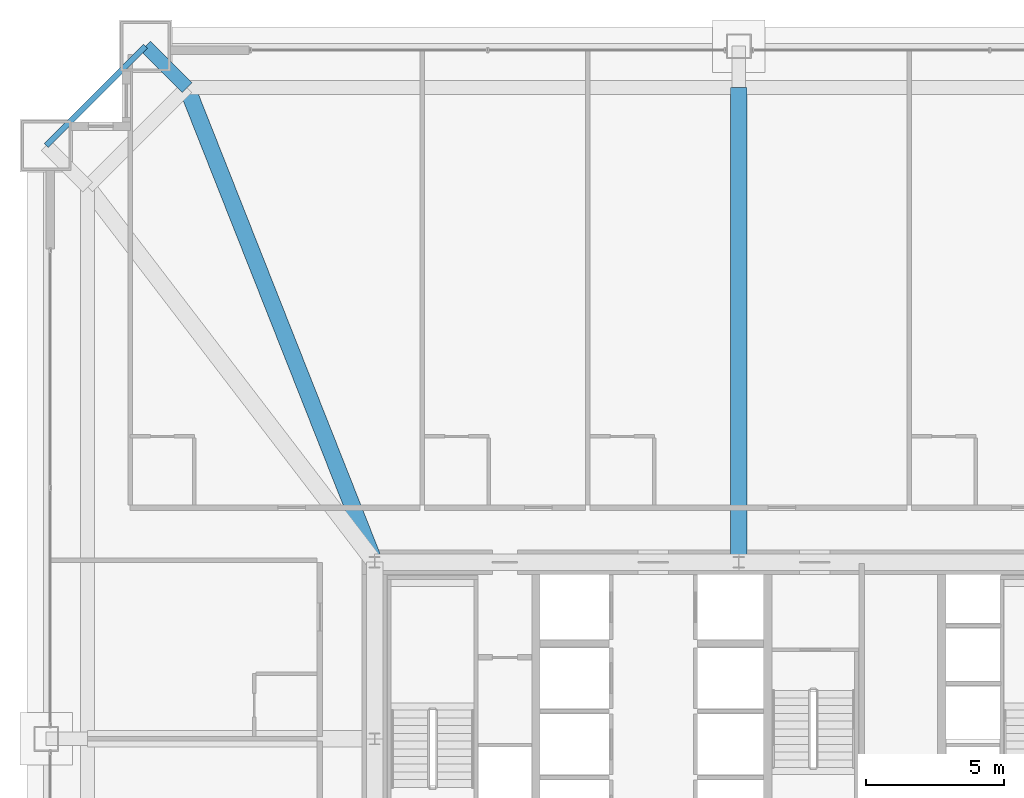
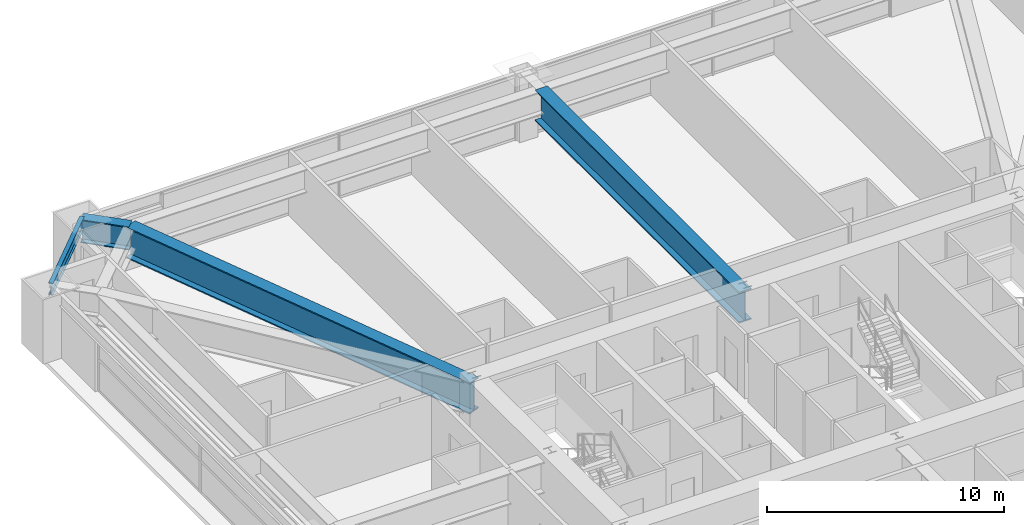
# One storey, part 25 of 44: 4 beams.
"""IFC4 building model written with IfcOpenShell, lengths in metres."""

import ifcopenshell
import ifcopenshell.guid

model = None  # the IFC model being written
_history = None  # IfcOwnerHistory: only IFC2X3 demands one
_inside = {}  # id of a spatial element -> (the spatial element, [elements in it])
_under = {}  # id of a project, library or spatial element -> (it, [spatial elements below it])
_declared = {}  # id of a project -> (the project, [libraries it declares])
_typed = {}  # id of a type object -> (the type object, [elements of that type])
_made_of = {}  # id of a material, layer set ... -> (it, [elements and type objects made of it])


def new_model(schema):
    """Start an empty IFC model of exactly this schema.

    Asked for "IFC4X3", IfcOpenShell would pick the latest addendum, in which some entities
    have other attributes; the version numbers below select the first issue.
    IFC2X3 requires an IfcOwnerHistory on every rooted entity: one is made here for all.
    """
    global model, _history
    if schema == "IFC4X3":
        model = ifcopenshell.file(schema_version=(4, 3, 0, 0))
    else:
        model = ifcopenshell.file(schema=schema)
    _inside.clear()
    _under.clear()
    _declared.clear()
    _typed.clear()
    _made_of.clear()
    _history = None
    if model.schema == "IFC2X3":
        org = make("IfcOrganization", Name="unknown")
        user = make(
            "IfcPersonAndOrganization",
            ThePerson=make("IfcPerson", FamilyName="unknown"),
            TheOrganization=org,
        )
        app = make(
            "IfcApplication",
            ApplicationDeveloper=org,
            Version="unknown",
            ApplicationFullName="unknown",
            ApplicationIdentifier="unknown",
        )
        _history = make(
            "IfcOwnerHistory",
            OwningUser=user,
            OwningApplication=app,
            ChangeAction="ADDED",
            CreationDate=0,
        )
    return model


def make(cls, **values):
    """One entity of the class cls with the attributes given. An attribute that is None is left unset."""
    return model.create_entity(
        cls, **{name: value for name, value in values.items() if value is not None}
    )


def rooted(cls, **values):
    """An entity with a GlobalId (a new one), such as an element, a storey or a relation."""
    return make(cls, GlobalId=ifcopenshell.guid.new(), OwnerHistory=_history, **values)


def si_unit(unit_type, name, prefix=None):
    """IfcSIUnit, for example si_unit("LENGTHUNIT", "METRE", prefix="MILLI")."""
    return make("IfcSIUnit", UnitType=unit_type, Prefix=prefix, Name=name)


def assignment(units):
    """IfcUnitAssignment: the units of a project."""
    return None if units is None else make("IfcUnitAssignment", Units=units)


def point(xyz):
    """IfcCartesianPoint."""
    return None if xyz is None else make("IfcCartesianPoint", Coordinates=xyz)


def direction(xyz):
    """IfcDirection."""
    return None if xyz is None else make("IfcDirection", DirectionRatios=xyz)


def frame(location, z_axis=None, x_axis=None):
    """IfcAxis2Placement3D, a coordinate frame: its origin and axes. An axis left out is left unset."""
    return make(
        "IfcAxis2Placement3D",
        Location=point(location),
        Axis=direction(z_axis),
        RefDirection=direction(x_axis),
    )


def frame_2d(location, x_axis=None):
    """IfcAxis2Placement2D, a coordinate frame in the plane: its origin and x axis."""
    return make(
        "IfcAxis2Placement2D", Location=point(location), RefDirection=direction(x_axis)
    )


def origin():
    """The frame at (0, 0, 0) with its axes left unset."""
    return frame((0.0, 0.0, 0.0))


def origin_2d():
    """The frame at (0, 0) in the plane with its x axis left unset."""
    return frame_2d((0.0, 0.0))


def place(relative_to, where):
    """IfcLocalPlacement: puts the frame where relative to a parent placement (None: the world)."""
    return make(
        "IfcLocalPlacement", PlacementRelTo=relative_to, RelativePlacement=where
    )


def context(
    kind, dimensions, precision=None, world=None, true_north=None, identifier=None
):
    """IfcGeometricRepresentationContext, for example the 3D "Model" context."""
    return make(
        "IfcGeometricRepresentationContext",
        ContextIdentifier=identifier,
        ContextType=kind,
        CoordinateSpaceDimension=dimensions,
        Precision=precision,
        WorldCoordinateSystem=world,
        TrueNorth=true_north,
    )


def subcontext(parent, identifier, kind, view, scale=None):
    """IfcGeometricRepresentationSubContext, for example "Body" below "Model"."""
    return make(
        "IfcGeometricRepresentationSubContext",
        ContextIdentifier=identifier,
        ContextType=kind,
        ParentContext=parent,
        TargetScale=scale,
        TargetView=view,
    )


def project(units=None, contexts=None):
    """IfcProject with its units and contexts."""
    return rooted(
        "IfcProject",
        Name="project",
        RepresentationContexts=contexts,
        UnitsInContext=assignment(units),
    )


def spatial(cls, under=None, at=None, **own):
    """A site, building, storey or space (cls), placed at a placement, below another one or the project."""
    s = rooted(cls, ObjectPlacement=at, **own)
    if under is not None:
        _under.setdefault(under.id(), (under, []))[1].append(s)
    return s


def profile(cls, at=None, kind="AREA", **sizes):
    """A parametric profile (cls). Its sizes go by their IFC names, for example OverallWidth=200.0."""
    return make(cls, ProfileType=kind, Position=at, **sizes)


def i_section(**sizes):
    """IfcIShapeProfileDef."""
    return profile("IfcIShapeProfileDef", **sizes)


def extrude(swept, where, along, depth):
    """IfcExtrudedAreaSolid: the profile swept, set in the frame where, extruded along a direction by depth."""
    return make(
        "IfcExtrudedAreaSolid",
        SweptArea=swept,
        Position=where,
        ExtrudedDirection=direction(along),
        Depth=depth,
    )


def shape(context_of_items, identifier, shape_type, items):
    """IfcShapeRepresentation: the items that make up one representation, for example the "Body"."""
    return make(
        "IfcShapeRepresentation",
        ContextOfItems=context_of_items,
        RepresentationIdentifier=identifier,
        RepresentationType=shape_type,
        Items=items,
    )


def source(mapping_origin, context_of_items, identifier, shape_type, items):
    """IfcRepresentationMap: a shape defined once, which mapped items show again and again."""
    return make(
        "IfcRepresentationMap",
        MappingOrigin=mapping_origin,
        MappedRepresentation=shape(context_of_items, identifier, shape_type, items),
    )


def transform(
    local_origin,
    x_axis=None,
    y_axis=None,
    z_axis=None,
    scale=None,
    scale2=None,
    scale3=None,
    uniform=True,
):
    """IfcCartesianTransformationOperator3D, or its non-uniform kind. x_axis, y_axis, z_axis: its Axis1, 2, 3."""
    if uniform:
        return make(
            "IfcCartesianTransformationOperator3D",
            Axis1=direction(x_axis),
            Axis2=direction(y_axis),
            LocalOrigin=point(local_origin),
            Scale=scale,
            Axis3=direction(z_axis),
        )
    return make(
        "IfcCartesianTransformationOperator3DnonUniform",
        Axis1=direction(x_axis),
        Axis2=direction(y_axis),
        LocalOrigin=point(local_origin),
        Scale=scale,
        Axis3=direction(z_axis),
        Scale2=scale2,
        Scale3=scale3,
    )


def mapped(mapping_source, mapping_target):
    """IfcMappedItem: shows the shape of a source again, moved by a transform."""
    return make(
        "IfcMappedItem", MappingSource=mapping_source, MappingTarget=mapping_target
    )


def material(Name=None, Category=None):
    """IfcMaterial."""
    return make("IfcMaterial", Name=Name, Category=Category)


def material_profile(
    of_material, cross_section, Name=None, Category=None, Priority=None
):
    """IfcMaterialProfile: a cross section and its material."""
    return make(
        "IfcMaterialProfile",
        Name=Name,
        Material=of_material,
        Profile=cross_section,
        Priority=Priority,
        Category=Category,
    )


def profile_set(profiles, Name=None, composite=None):
    """IfcMaterialProfileSet."""
    return make(
        "IfcMaterialProfileSet",
        Name=Name,
        MaterialProfiles=profiles,
        CompositeProfile=composite,
    )


def made_of(thing, what):
    """Note that an element or type object is made of a material, layer set ...; save() writes the relation."""
    if what is not None:
        _made_of.setdefault(what.id(), (what, []))[1].append(thing)
    return thing


def type_object(cls, material=None, **own):
    """A type object (cls), such as IfcWallType, which elements share."""
    return made_of(rooted(cls, **own), material)


def element(
    cls,
    number,
    at=None,
    inside=None,
    cuts=None,
    type_object=None,
    material=None,
    context=None,
    identifier="Body",
    shape_type=None,
    held_by="IfcProductDefinitionShape",
    body=None,
    shapes=None,
    **own,
):
    """One element of the class cls, such as IfcWall. Its Tag is "e" and its number.

    at: its placement. inside: the storey or other place that contains it. cuts: it is an
    opening in that element (IfcRelVoidsElement). A single representation is given by context,
    identifier, shape_type and body (its items); several are given by shapes. held_by: the class
    of the entity that holds the representations. save() writes the other relations.
    """
    e = rooted(cls, Tag="e%d" % number, ObjectPlacement=at, **own)
    if body is not None:
        shapes = [shape(context, identifier, shape_type, body)]
    if shapes is not None:
        e.Representation = make(held_by, Representations=shapes)
    if inside is not None:
        _inside.setdefault(inside.id(), (inside, []))[1].append(e)
    if cuts is not None:
        rooted(
            "IfcRelVoidsElement", RelatingBuildingElement=cuts, RelatedOpeningElement=e
        )
    if type_object is not None:
        _typed.setdefault(type_object.id(), (type_object, []))[1].append(e)
    return made_of(e, material)


def aggregate(whole, parts):
    """IfcRelAggregates: a whole, such as a stair, and the parts it consists of."""
    return rooted("IfcRelAggregates", RelatingObject=whole, RelatedObjects=parts)


def save(model, path):
    """Write the relations noted so far, then the file.

    IfcRelAggregates (storeys below a building ...), IfcRelContainedInSpatialStructure (elements
    in a storey), IfcRelDefinesByType, IfcRelAssociatesMaterial and IfcRelDeclares: one each for
    every whole, place, type object, material and project.
    """
    for whole, parts in _under.values():
        aggregate(whole, parts)
    for where, things in _inside.values():
        rooted(
            "IfcRelContainedInSpatialStructure",
            RelatedElements=things,
            RelatingStructure=where,
        )
    for kind, things in _typed.values():
        rooted("IfcRelDefinesByType", RelatedObjects=things, RelatingType=kind)
    for what, things in _made_of.values():
        rooted("IfcRelAssociatesMaterial", RelatedObjects=things, RelatingMaterial=what)
    for by, libraries in _declared.values():
        rooted("IfcRelDeclares", RelatingContext=by, RelatedDefinitions=libraries)
    model.write(path)


model = new_model("IFC4")

# Units and contexts
model_context = context("Model", 3, precision=1e-05, world=origin(), true_north=direction((0.0, 1.0)))
body_context = subcontext(model_context, "Body", "Model", "MODEL_VIEW")
ifc_project = project(units=[si_unit("LENGTHUNIT", "METRE"), si_unit("AREAUNIT", "SQUARE_METRE"), si_unit("VOLUMEUNIT", "CUBIC_METRE"), si_unit("PLANEANGLEUNIT", "RADIAN"), si_unit("MASSUNIT", "GRAM", prefix="KILO"), si_unit("THERMODYNAMICTEMPERATUREUNIT", "KELVIN"), si_unit("POWERUNIT", "WATT")], contexts=[model_context])

# Site, building, storey
site_placement = place(None, origin())
site = spatial("IfcSite", under=ifc_project, at=site_placement, CompositionType="ELEMENT")
building_placement = place(site_placement, origin())
building = spatial("IfcBuilding", under=site, at=building_placement, Name="Yuzanri Waterfront Tower", CompositionType="ELEMENT")
storey_placement = place(building_placement, frame((0.0, 0.0, 82.0)))
storey = spatial("IfcBuildingStorey", under=building, at=storey_placement, Name="L21", CompositionType="ELEMENT", Elevation=82.0)

# Beams
ifc_material_1 = material(Name="Steel Q355B", Category="steel")
ifc_material_profile_1 = material_profile(ifc_material_1, i_section(OverallWidth=0.199951171875, OverallDepth=0.60009765625, WebThickness=0.010986328125, FlangeThickness=0.01708984375, at=origin_2d()), Name="HN 600x200x11x17")
ifc_profile_set_1 = profile_set([ifc_material_profile_1], Name="Steel Q355B")
beam_type_1 = type_object("IfcBeamType", Name="Perimeter Spandrel Q355B HN 600x200", PredefinedType="SPANDREL", material=ifc_profile_set_1)
shared_shape_1 = source(origin(), body_context, "Body", "SweptSolid", [
    extrude(i_section(OverallWidth=0.199951171875, OverallDepth=0.60009765625, WebThickness=0.010986328125, FlangeThickness=0.01708984375, at=origin_2d()), origin(), (0.0, 0.0, 1.0), 5.091064453125),
])
beam_1_placement = place(storey_placement, frame((15.5, 50.89990234375, 3.02001953125), z_axis=(-0.707130757816, -0.707082803744, 0.0), x_axis=(0.707082803744, -0.707130757816, 0.0)))
element("IfcBeam", 1, at=beam_1_placement, inside=storey, type_object=beam_type_1, Name="L21 Perimeter Spandrel N1-W3", PredefinedType="SPANDREL", context=body_context, shape_type="MappedRepresentation", body=[
    mapped(shared_shape_1, transform((0.0, 0.0, 0.0), scale=1.0)),
])
ifc_material_2 = material(Name="Steel Q420GJC", Category="steel")
ifc_material_profile_2 = material_profile(ifc_material_2, i_section(OverallWidth=0.60009765625, OverallDepth=1.60009765625, WebThickness=0.031982421875, FlangeThickness=0.06005859375, at=origin_2d()), Name="PG 1600x600x32x60")
ifc_profile_set_2 = profile_set([ifc_material_profile_2], Name="Steel Q420GJC")
beam_type_2 = type_object("IfcBeamType", Name="Ballroom Transfer Girder Q420GJC PG 1600x600", PredefinedType="USERDEFINED", material=ifc_profile_set_2)
shared_shape_2 = source(origin(), body_context, "Body", "SweptSolid", [
    extrude(i_section(OverallWidth=0.60009765625, OverallDepth=1.60009765625, WebThickness=0.031982421875, FlangeThickness=0.06005859375, at=origin_2d()), origin(), (0.0, 0.0, 1.0), 17.199951171875),
])
beam_2_placement = place(storey_placement, frame((37.0, 32.199951171875, 2.52001953125), z_axis=(0.0, 1.0, 0.0), x_axis=(-1.0, 0.0, 0.0)))
element("IfcBeam", 2, at=beam_2_placement, inside=storey, type_object=beam_type_2, Name="L21 Setback Inner Transfer N2", ObjectType="GIRDER", PredefinedType="USERDEFINED", context=body_context, shape_type="MappedRepresentation", body=[
    mapped(shared_shape_2, transform((0.0, 0.0, 0.0), scale=1.0)),
])
shared_shape_3 = source(origin(), body_context, "Body", "SweptSolid", [
    extrude(i_section(OverallWidth=0.60009765625, OverallDepth=1.60009765625, WebThickness=0.031982421875, FlangeThickness=0.06005859375, at=origin_2d()), origin(), (0.0, 0.0, 1.0), 18.495361328125),
])
beam_3_placement = place(storey_placement, frame((23.800048828125, 32.199951171875, 2.52001953125), z_axis=(-0.367662075171, 0.929959460665, 0.0), x_axis=(-0.929959460665, -0.367662075171, 0.0)))
element("IfcBeam", 3, at=beam_3_placement, inside=storey, type_object=beam_type_2, Name="L21 Setback Inner Transfer N1", ObjectType="GIRDER", PredefinedType="USERDEFINED", context=body_context, shape_type="MappedRepresentation", body=[
    mapped(shared_shape_3, transform((0.0, 0.0, 0.0), scale=1.0)),
])
ifc_material_3 = material(Name="Steel Q420GJC", Category="steel")
ifc_material_profile_3 = material_profile(ifc_material_3, i_section(OverallWidth=0.5, OverallDepth=1.199951171875, WebThickness=0.028076171875, FlangeThickness=0.050048828125, at=origin_2d()), Name="PG 1200x500x28x50")
ifc_profile_set_3 = profile_set([ifc_material_profile_3], Name="Steel Q420GJC")
beam_type_3 = type_object("IfcBeamType", Name="Setback Transfer Girder Q420GJC PG 1200x500", PredefinedType="USERDEFINED", material=ifc_profile_set_3)
shared_shape_4 = source(origin(), body_context, "Body", "SweptSolid", [
    extrude(i_section(OverallWidth=0.5, OverallDepth=1.199951171875, WebThickness=0.028076171875, FlangeThickness=0.050048828125, at=origin_2d()), origin(), (0.0, 0.0, 1.0), 2.121337890625),
])
beam_4_placement = place(storey_placement, frame((17.0, 49.39990234375, 2.719970703125), z_axis=(-0.707106781187, 0.707106781187, 0.0), x_axis=(-0.707106781187, -0.707106781187, 0.0)))
element("IfcBeam", 4, at=beam_4_placement, inside=storey, type_object=beam_type_3, Name="L21 Setback Step Transfer N1", ObjectType="GIRDER", PredefinedType="USERDEFINED", context=body_context, shape_type="MappedRepresentation", body=[
    mapped(shared_shape_4, transform((0.0, 0.0, 0.0), scale=1.0)),
])

save(model, "model.ifc")
